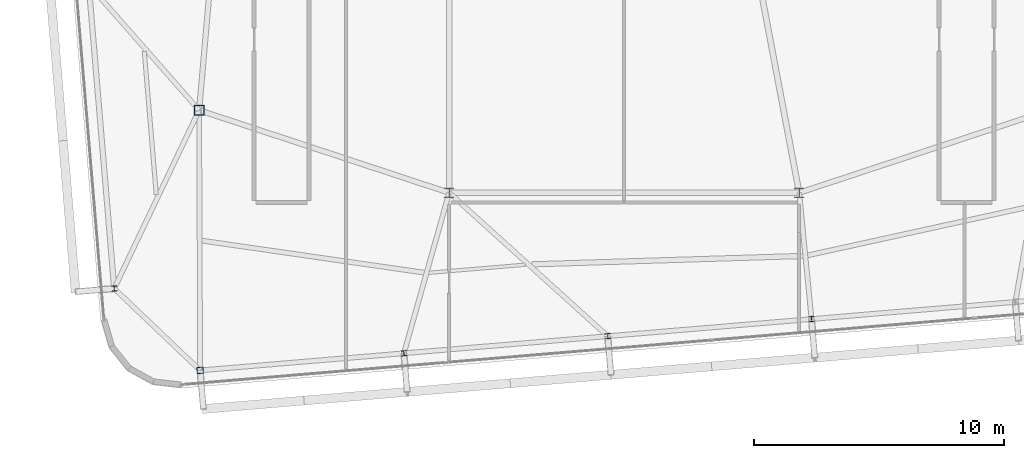
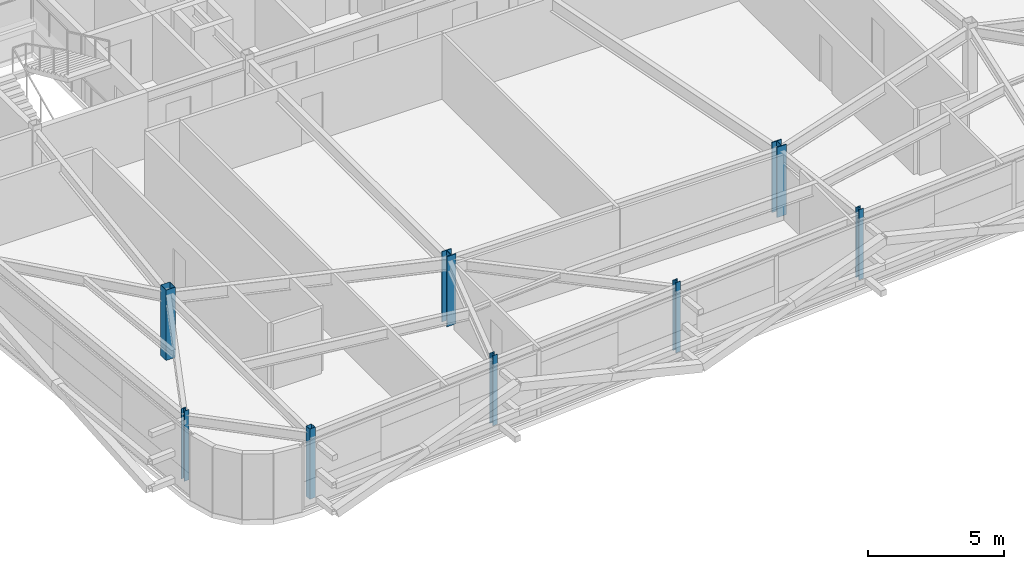
# One storey, part 1 of 39: 8 columns.
"""IFC4 building model written with IfcOpenShell, lengths in metres."""

from ifc_helpers import new_model, si_unit, direction, frame, origin, origin_2d, place, context, subcontext, project, spatial, hollow_rectangle, i_section, extrude, source, transform, mapped, material, material_profile, profile_set, type_object, element, save


model = new_model("IFC4")

# Units and contexts
model_context = context("Model", 3, precision=1e-05, world=origin(), true_north=direction((0.0, 1.0)))
body_context = subcontext(model_context, "Body", "Model", "MODEL_VIEW")
ifc_project = project(units=[si_unit("LENGTHUNIT", "METRE"), si_unit("AREAUNIT", "SQUARE_METRE"), si_unit("VOLUMEUNIT", "CUBIC_METRE"), si_unit("PLANEANGLEUNIT", "RADIAN"), si_unit("MASSUNIT", "GRAM", prefix="KILO")], contexts=[model_context])

# Site, building, storey
site_placement = place(None, origin())
site = spatial("IfcSite", under=ifc_project, at=site_placement, CompositionType="ELEMENT")
building_placement = place(site_placement, origin())
building = spatial("IfcBuilding", under=site, at=building_placement, Name="Taldren Reach Tower", CompositionType="ELEMENT")
storey_placement = place(building_placement, frame((0.0, 0.0, 197.75)))
storey = spatial("IfcBuildingStorey", under=building, at=storey_placement, Name="L60", CompositionType="ELEMENT", Elevation=197.75)

# Columns
ifc_material_1 = material(Name="Steel Gr 350 (350PLUS)", Category="steel")
ifc_material_profile_1 = material_profile(ifc_material_1, i_section(OverallWidth=0.39990234375, OverallDepth=0.39599609375, WebThickness=0.02197265625, FlangeThickness=0.033935546875, at=origin_2d()), Name="400WC270")
ifc_profile_set_1 = profile_set([ifc_material_profile_1], Name="Steel Gr 350 (350PLUS)")
column_type_1 = type_object("IfcColumnType", Name="COL-WC400", PredefinedType="COLUMN", material=ifc_profile_set_1)
shared_shape_1 = source(origin(), body_context, "Body", "SweptSolid", [
    extrude(i_section(OverallWidth=0.39990234375, OverallDepth=0.39599609375, WebThickness=0.02197265625, FlangeThickness=0.033935546875, at=origin_2d()), origin(), (0.0, 0.0, 1.0), 3.14990234375),
])
for number, where, z_axis, x_axis, name in (
    (1, (28.0, 9.199951171875, 0.0), (0.0, 0.0, 1.0), (1.0, 0.0, 0.0), "Mega column MC-PJW L60"),
    (2, (42.0, 9.199951171875, 0.0), (0.0, 0.0, 1.0), (1.0, 0.0, 0.0), "Mega column MC-PJE L60"),
):
    element("IfcColumn", number, at=place(storey_placement, frame(where, z_axis=z_axis, x_axis=x_axis)), inside=storey, type_object=column_type_1, Name=name, PredefinedType="COLUMN", context=body_context, shape_type="MappedRepresentation", body=[
        mapped(shared_shape_1, transform((0.0, 0.0, 0.0), scale=1.0)),
    ])
ifc_material_2 = material(Name="Steel Gr 450 (C450L0)", Category="steel")
ifc_material_profile_2 = material_profile(ifc_material_2, hollow_rectangle(XDim=0.39990234375, YDim=0.39990234375, WallThickness=0.01611328125, at=origin_2d()), Name="400x400x16.0SHS")
ifc_profile_set_2 = profile_set([ifc_material_profile_2], Name="Steel Gr 450 (C450L0)")
column_type_2 = type_object("IfcColumnType", Name="COL-SHS400", PredefinedType="COLUMN", material=ifc_profile_set_2)
shared_shape_2 = source(origin(), body_context, "Body", "SweptSolid", [
    extrude(hollow_rectangle(XDim=0.39990234375, YDim=0.39990234375, WallThickness=0.01611328125, at=origin_2d()), origin(), (0.0, 0.0, 1.0), 3.14990234375),
])
column_1_placement = place(storey_placement, frame((18.0, 12.5, 0.0), z_axis=(0.0, 0.0, 1.0), x_axis=(1.0, 0.0, 0.0)))
element("IfcColumn", 3, at=column_1_placement, inside=storey, type_object=column_type_2, Name="Mega column MC-SW L60", PredefinedType="COLUMN", context=body_context, shape_type="MappedRepresentation", body=[
    mapped(shared_shape_2, transform((0.0, 0.0, 0.0), scale=1.0)),
])
ifc_material_3 = material(Name="Steel Gr 350 (C350L0)", Category="steel")
ifc_material_profile_3 = material_profile(ifc_material_3, hollow_rectangle(XDim=0.25, YDim=0.25, WallThickness=0.010009765625, at=origin_2d()), Name="250x250x10.0SHS")
ifc_profile_set_3 = profile_set([ifc_material_profile_3], Name="Steel Gr 350 (C350L0)")
column_type_3 = type_object("IfcColumnType", Name="COL-SHS250", PredefinedType="COLUMN", material=ifc_profile_set_3)
shared_shape_3 = source(origin(), body_context, "Body", "SweptSolid", [
    extrude(hollow_rectangle(XDim=0.25, YDim=0.25, WallThickness=0.010009765625, at=origin_2d()), origin(), (0.0, 0.0, 1.0), 3.14990234375),
])
column_2_placement = place(storey_placement, frame((18.03955078125, 2.093994140625, 0.0), z_axis=(0.0, 0.0, 1.0), x_axis=(0.99649285925, 0.083677843332, 0.0)))
element("IfcColumn", 4, at=column_2_placement, inside=storey, type_object=column_type_3, Name="Block B4 perimeter column S1 L60", PredefinedType="COLUMN", context=body_context, shape_type="MappedRepresentation", body=[
    mapped(shared_shape_3, transform((0.0, 0.0, 0.0), scale=1.0)),
])
ifc_material_profile_4 = material_profile(ifc_material_1, i_section(OverallWidth=0.205078125, OverallDepth=0.2099609375, WebThickness=0.00927734375, FlangeThickness=0.01416015625, at=origin_2d()), Name="200UC59.5")
ifc_profile_set_4 = profile_set([ifc_material_profile_4], Name="Steel Gr 350 (350PLUS)")
column_type_4 = type_object("IfcColumnType", Name="COL-UC200", PredefinedType="COLUMN", material=ifc_profile_set_4)
shared_shape_4 = source(origin(), body_context, "Body", "SweptSolid", [
    extrude(i_section(OverallWidth=0.205078125, OverallDepth=0.2099609375, WebThickness=0.00927734375, FlangeThickness=0.01416015625, at=origin_2d()), origin(), (0.0, 0.0, 1.0), 3.14990234375),
])
for number, where, z_axis, x_axis, name in (
    (5, (26.19091796875, 2.778564453125, 0.0), (0.0, 0.0, 1.0), (0.99649285925, 0.083677843332, 0.0), "Block B4 perimeter column S2 L60"),
    (6, (34.34228515625, 3.462890625, 0.0), (0.0, 0.0, 1.0), (0.99649285925, 0.083677843332, 0.0), "Block B4 perimeter column S3 L60"),
    (7, (42.49365234375, 4.1474609375, 0.0), (0.0, 0.0, 1.0), (0.99649285925, 0.083677843332, 0.0), "Block B4 perimeter column S4 L60"),
    (8, (14.603759765625, 5.367919921875, 0.0), (0.0, 0.0, 1.0), (0.99649285925, 0.083677843332, 0.0), "Block B4 perimeter column W1 L60"),
):
    element("IfcColumn", number, at=place(storey_placement, frame(where, z_axis=z_axis, x_axis=x_axis)), inside=storey, type_object=column_type_4, Name=name, PredefinedType="COLUMN", context=body_context, shape_type="MappedRepresentation", body=[
        mapped(shared_shape_4, transform((0.0, 0.0, 0.0), scale=1.0)),
    ])

save(model, "model.ifc")
